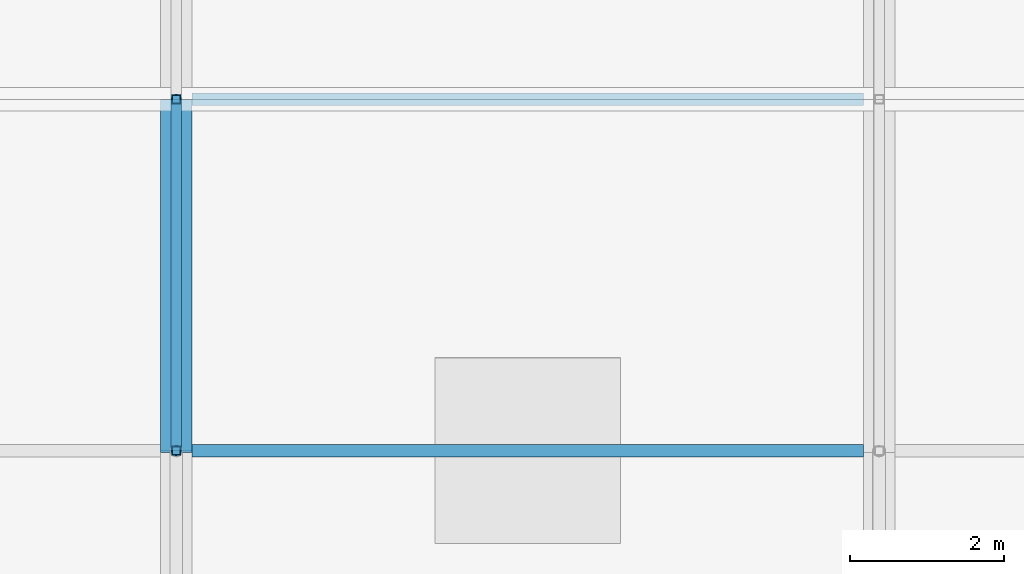
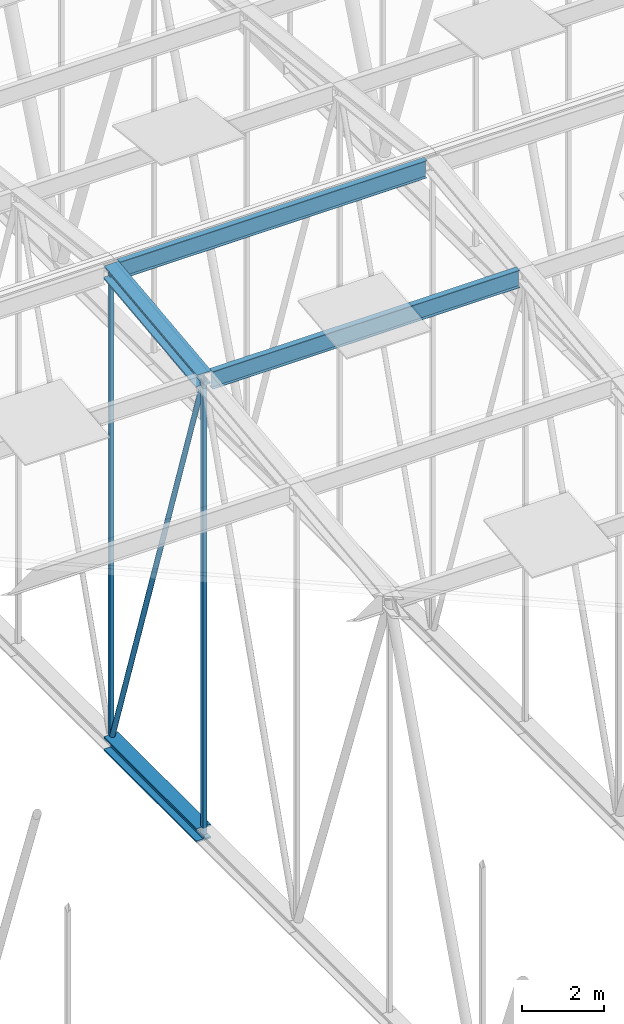
# One storey, part 139 of 500: 7 members.
"""IFC4 building model written with IfcOpenShell, lengths in metres."""

from ifc_helpers import new_model, si_unit, direction, frame, origin, origin_2d, place, context, subcontext, project, spatial, hollow_rectangle, hollow_circle, i_section, extrude, material, material_profile, profile_set, type_object, element, save


model = new_model("IFC4")

# Units and contexts
model_context = context("Model", 3, precision=1e-05, world=origin(), true_north=direction((0.0, 1.0)))
body_context = subcontext(model_context, "Body", "Model", "MODEL_VIEW")
ifc_project = project(units=[si_unit("LENGTHUNIT", "METRE"), si_unit("AREAUNIT", "SQUARE_METRE"), si_unit("VOLUMEUNIT", "CUBIC_METRE"), si_unit("PLANEANGLEUNIT", "RADIAN"), si_unit("MASSUNIT", "GRAM", prefix="KILO")], contexts=[model_context])

# Site, building, storey
site_placement = place(None, origin())
site = spatial("IfcSite", under=ifc_project, at=site_placement, CompositionType="ELEMENT")
building_placement = place(site_placement, origin())
building = spatial("IfcBuilding", under=site, at=building_placement, Name="Shirokan Park Arena", CompositionType="ELEMENT")
storey_placement = place(building_placement, frame((0.0, 0.0, 29.1201171875)))
storey = spatial("IfcBuildingStorey", under=building, at=storey_placement, Name="L06", CompositionType="ELEMENT", Elevation=29.1201171875)

# Members
ifc_material_1 = material(Name="Steel ASTM A992", Category="steel")
ifc_material_profile_1 = material_profile(ifc_material_1, i_section(OverallWidth=0.406005859375, OverallDepth=0.4169921875, WebThickness=0.030029296875, FlangeThickness=0.048095703125, at=origin_2d()), Name="W360X382")
ifc_profile_set_1 = profile_set([ifc_material_profile_1], Name="Steel ASTM A992")
member_type_1 = type_object("IfcMemberType", Name="Bottom chord W360X382", PredefinedType="CHORD", material=ifc_profile_set_1)
member_1_placement = place(storey_placement, frame((63.699951171875, 50.050048828125, 4.677001953125), z_axis=(0.0, 1.0, 0.0), x_axis=(-1.0, 0.0, 0.0)))
element("IfcMember", 1, at=member_1_placement, inside=storey, type_object=member_type_1, Name="Truss T08 bottom chord 14", PredefinedType="CHORD", context=body_context, shape_type="SweptSolid", body=[
    extrude(i_section(OverallWidth=0.406005859375, OverallDepth=0.4169921875, WebThickness=0.030029296875, FlangeThickness=0.048095703125, at=origin_2d()), origin(), (0.0, 0.0, 1.0), 4.550048828125),
])
ifc_material_profile_2 = material_profile(ifc_material_1, i_section(OverallWidth=0.166015625, OverallDepth=0.528076171875, WebThickness=0.009765625, FlangeThickness=0.013671875, at=origin_2d()), Name="W530X74")
ifc_profile_set_2 = profile_set([ifc_material_profile_2], Name="Steel ASTM A992")
member_type_2 = type_object("IfcMemberType", Name="Purlin W530X74", PredefinedType="PURLIN", material=ifc_profile_set_2)
for number, where, z_axis, x_axis, name in (
    (2, (63.903076171875, 50.050048828125, 18.205810546875), (1.0, 0.0, 0.0), (0.0, 1.0, 0.0), "Purlin 14 bay 8"),
    (3, (63.903076171875, 54.60009765625, 18.725830078125), (1.0, 0.0, 0.0), (0.0, 1.0, 0.0), "Purlin 15 bay 8"),
):
    element("IfcMember", number, at=place(storey_placement, frame(where, z_axis=z_axis, x_axis=x_axis)), inside=storey, type_object=member_type_2, Name=name, PredefinedType="PURLIN", context=body_context, shape_type="SweptSolid", body=[
        extrude(i_section(OverallWidth=0.166015625, OverallDepth=0.528076171875, WebThickness=0.009765625, FlangeThickness=0.013671875, at=origin_2d()), origin(), (0.0, 0.0, 1.0), 8.69384765625),
    ])
ifc_material_profile_3 = material_profile(ifc_material_1, i_section(OverallWidth=0.406005859375, OverallDepth=0.4169921875, WebThickness=0.030029296875, FlangeThickness=0.048095703125, at=origin_2d()), Name="W360X382")
ifc_profile_set_3 = profile_set([ifc_material_profile_3], Name="Steel ASTM A992")
member_type_3 = type_object("IfcMemberType", Name="Top chord W360X382", PredefinedType="CHORD", material=ifc_profile_set_3)
member_2_placement = place(storey_placement, frame((63.699951171875, 50.050048828125, 18.261474609375), z_axis=(0.0, 0.993532328996, 0.113549598152), x_axis=(-1.0, 0.0, 0.0)))
element("IfcMember", 4, at=member_2_placement, inside=storey, type_object=member_type_3, Name="Truss T08 top chord 14", PredefinedType="CHORD", context=body_context, shape_type="SweptSolid", body=[
    extrude(i_section(OverallWidth=0.406005859375, OverallDepth=0.4169921875, WebThickness=0.030029296875, FlangeThickness=0.048095703125, at=origin_2d()), origin(), (0.0, 0.0, 1.0), 4.57958984375),
])
ifc_material_2 = material(Name="Steel ASTM A500 Grade C", Category="steel")
ifc_material_profile_4 = material_profile(ifc_material_2, hollow_circle(Radius=0.070556640625, WallThickness=0.006591796875, at=origin_2d()), Name="HSS141.3X6.6")
ifc_profile_set_4 = profile_set([ifc_material_profile_4], Name="Steel ASTM A500 Grade C")
member_type_4 = type_object("IfcMemberType", Name="Truss diagonal HSS141.3X6.6", PredefinedType="BRACE", material=ifc_profile_set_4)
member_3_placement = place(storey_placement, frame((63.699951171875, 50.050048828125, 18.261474609375), z_axis=(0.0, 0.317602683872, -0.948223884532), x_axis=(-1.0, 0.0, 0.0)))
element("IfcMember", 5, at=member_3_placement, inside=storey, type_object=member_type_4, Name="Truss T08 diagonal 14", PredefinedType="BRACE", context=body_context, shape_type="SweptSolid", body=[
    extrude(hollow_circle(Radius=0.070556640625, WallThickness=0.006591796875, at=origin_2d()), origin(), (0.0, 0.0, 1.0), 14.326171875),
])
ifc_material_profile_5 = material_profile(ifc_material_2, hollow_rectangle(XDim=0.114013671875, YDim=0.114013671875, WallThickness=0.00634765625, at=origin_2d()), Name="HSS114.3X114.3X6.4")
ifc_profile_set_5 = profile_set([ifc_material_profile_5], Name="Steel ASTM A500 Grade C")
member_type_5 = type_object("IfcMemberType", Name="Truss post HSS114.3X114.3X6.4", PredefinedType="POST", material=ifc_profile_set_5)
member_4_placement = place(storey_placement, frame((63.699951171875, 50.050048828125, 4.677001953125), z_axis=(0.0, 0.0, 1.0), x_axis=(1.0, 0.0, 0.0)))
element("IfcMember", 6, at=member_4_placement, inside=storey, type_object=member_type_5, Name="Truss T08 post 14", PredefinedType="POST", context=body_context, shape_type="SweptSolid", body=[
    extrude(hollow_rectangle(XDim=0.114013671875, YDim=0.114013671875, WallThickness=0.00634765625, at=origin_2d()), origin(), (0.0, 0.0, 1.0), 13.58447265625),
])
member_5_placement = place(storey_placement, frame((63.699951171875, 54.60009765625, 4.677001953125), z_axis=(0.0, 0.0, 1.0), x_axis=(1.0, 0.0, 0.0)))
element("IfcMember", 7, at=member_5_placement, inside=storey, type_object=member_type_5, Name="Truss T08 post 15", PredefinedType="POST", context=body_context, shape_type="SweptSolid", body=[
    extrude(hollow_rectangle(XDim=0.114013671875, YDim=0.114013671875, WallThickness=0.00634765625, at=origin_2d()), origin(), (0.0, 0.0, 1.0), 14.1044921875),
])

save(model, "model.ifc")
